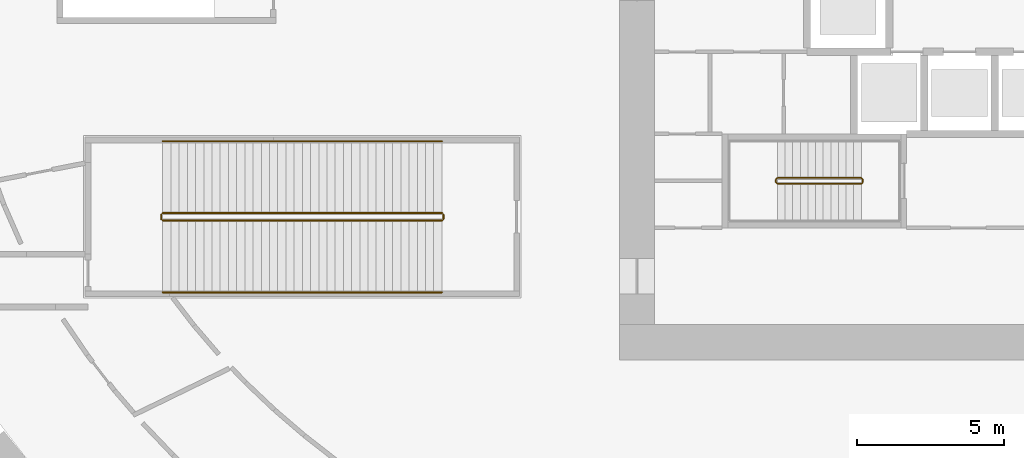
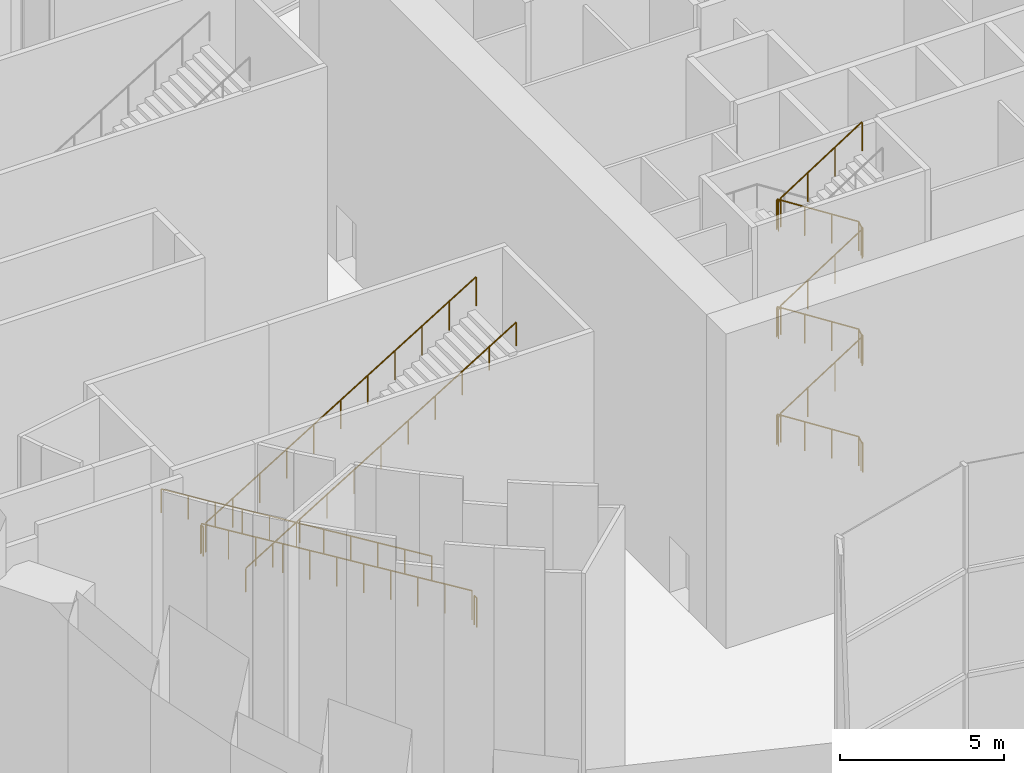
# One storey, part 17 of 25: 7 railings.
"""IFC4 building model written with IfcOpenShell, lengths in metres."""

from ifc_helpers import new_model, si_unit, direction, frame, origin, origin_2d, place, context, subcontext, project, spatial, circle, extrude, source, transform, mapped, material, type_object, element, save


model = new_model("IFC4")

# Units and contexts
model_context = context("Model", 3, precision=1e-05, world=origin(), true_north=direction((0.0, 1.0)))
body_context = subcontext(model_context, "Body", "Model", "MODEL_VIEW")
ifc_project = project(units=[si_unit("LENGTHUNIT", "METRE"), si_unit("AREAUNIT", "SQUARE_METRE"), si_unit("VOLUMEUNIT", "CUBIC_METRE"), si_unit("PLANEANGLEUNIT", "RADIAN"), si_unit("MASSUNIT", "GRAM", prefix="KILO")], contexts=[model_context])

# Site, building, storey
site_placement = place(None, origin())
site = spatial("IfcSite", under=ifc_project, at=site_placement, CompositionType="ELEMENT")
building_placement = place(site_placement, origin())
building = spatial("IfcBuilding", under=site, at=building_placement, Name="Embergate Tower", CompositionType="ELEMENT")
storey_placement = place(building_placement, origin())
storey = spatial("IfcBuildingStorey", under=building, at=storey_placement, Name="L00", CompositionType="ELEMENT", Elevation=0.0)

# Railings
ifc_material_1 = material(Name="Stair guard 1100")
railing_type_1 = type_object("IfcRailingType", Name="Stair guard 1100", PredefinedType="GUARDRAIL", material=ifc_material_1)
shared_shape_1 = source(origin(), body_context, "Body", "SweptSolid", [
    extrude(circle(Radius=0.02392578125, at=origin_2d()), frame((0.0, 0.0, 1.076171875), z_axis=(0.0, 1.0, 0.0), x_axis=(-1.0, 0.0, 0.0)), (0.0, 0.0, 1.0), 0.099853515625),
    extrude(circle(Radius=0.02392578125, at=origin_2d()), frame((0.0, 0.099853515625, 1.076171875), z_axis=(-0.27628659633, 0.27628659633, 0.920506074601), x_axis=(-0.707106781187, -0.707106781187, 0.0)), (0.0, 0.0, 1.0), 0.18115234375),
    extrude(circle(Radius=0.02392578125, at=origin_2d()), frame((-0.050048828125, 0.14990234375, 1.24267578125), z_axis=(-0.841899231129, 0.0, 0.539634769658), x_axis=(0.0, -1.0, 0.0)), (0.0, 0.0, 1.0), 3.397216796875),
    extrude(circle(Radius=0.02392578125, at=origin_2d()), frame((-2.91015625, 0.14990234375, 3.076171875), z_axis=(-0.705375805398, -0.708833529934, 0.0), x_axis=(0.708833529934, -0.705375805398, 0.0)), (0.0, 0.0, 1.0), 0.070556640625),
    extrude(circle(Radius=0.02392578125, at=origin_2d()), frame((-2.9599609375, 0.099853515625, 3.076171875), z_axis=(0.0, -1.0, 0.0), x_axis=(1.0, 0.0, 0.0)), (0.0, 0.0, 1.0), 0.099853515625),
    extrude(circle(Radius=0.02392578125, at=origin_2d()), frame((-2.9599609375, 0.0, 3.076171875), z_axis=(0.275041040955, -0.276389281352, 0.920848191041), x_axis=(0.708833529934, 0.705375805398, 0.0)), (0.0, 0.0, 1.0), 0.18115234375),
    extrude(circle(Radius=0.02392578125, at=origin_2d()), frame((-2.91015625, -0.050048828125, 3.24267578125), z_axis=(0.841899231129, 0.0, 0.539634769658), x_axis=(0.0, 1.0, 0.0)), (0.0, 0.0, 1.0), 3.397216796875),
    extrude(circle(Radius=0.02392578125, at=origin_2d()), frame((-0.050048828125, -0.050048828125, 5.076171875), z_axis=(0.707106781187, 0.707106781187, 0.0), x_axis=(-0.707106781187, 0.707106781187, 0.0)), (0.0, 0.0, 1.0), 0.07080078125),
    extrude(circle(Radius=0.02392578125, at=origin_2d()), frame((0.0, 0.0, 5.076171875), z_axis=(0.0, 1.0, 0.0), x_axis=(-1.0, 0.0, 0.0)), (0.0, 0.0, 1.0), 0.099853515625),
    extrude(circle(Radius=0.02392578125, at=origin_2d()), frame((0.0, 0.099853515625, 5.076171875), z_axis=(-0.27628659633, 0.27628659633, 0.920506074601), x_axis=(-0.707106781187, -0.707106781187, 0.0)), (0.0, 0.0, 1.0), 0.18115234375),
    extrude(circle(Radius=0.02392578125, at=origin_2d()), frame((-0.050048828125, 0.14990234375, 5.24267578125), z_axis=(-0.841899231129, 0.0, 0.539634769658), x_axis=(0.0, -1.0, 0.0)), (0.0, 0.0, 1.0), 3.397216796875),
    extrude(circle(Radius=0.02392578125, at=origin_2d()), frame((-2.91015625, 0.14990234375, 7.076171875), z_axis=(-0.705375805398, -0.708833529934, 0.0), x_axis=(0.708833529934, -0.705375805398, 0.0)), (0.0, 0.0, 1.0), 0.070556640625),
    extrude(circle(Radius=0.02392578125, at=origin_2d()), frame((-2.9599609375, 0.099853515625, 7.076171875), z_axis=(0.0, -1.0, 0.0), x_axis=(1.0, 0.0, 0.0)), (0.0, 0.0, 1.0), 0.099853515625),
    extrude(circle(Radius=0.02392578125, at=origin_2d()), frame((-2.9599609375, 0.0, 7.076171875), z_axis=(0.275041040955, -0.276389281352, 0.920848191041), x_axis=(0.708833529934, 0.705375805398, 0.0)), (0.0, 0.0, 1.0), 0.18115234375),
    extrude(circle(Radius=0.02392578125, at=origin_2d()), frame((-2.91015625, -0.050048828125, 7.24267578125), z_axis=(0.841899231129, 0.0, 0.539634769658), x_axis=(0.0, 1.0, 0.0)), (0.0, 0.0, 1.0), 3.397216796875),
    extrude(circle(Radius=0.02392578125, at=origin_2d()), frame((-0.050048828125, -0.050048828125, 9.076171875), z_axis=(0.707106781187, 0.707106781187, 0.0), x_axis=(-0.707106781187, 0.707106781187, 0.0)), (0.0, 0.0, 1.0), 0.07080078125),
    extrude(circle(Radius=0.02392578125, at=origin_2d()), frame((0.0, 0.0, 9.076171875), z_axis=(0.0, 1.0, 0.0), x_axis=(-1.0, 0.0, 0.0)), (0.0, 0.0, 1.0), 0.099853515625),
    extrude(circle(Radius=0.02392578125, at=origin_2d()), frame((0.0, 0.099853515625, 9.076171875), z_axis=(-0.27628659633, 0.27628659633, 0.920506074601), x_axis=(-0.707106781187, -0.707106781187, 0.0)), (0.0, 0.0, 1.0), 0.18115234375),
    extrude(circle(Radius=0.02392578125, at=origin_2d()), frame((-0.050048828125, 0.14990234375, 9.24267578125), z_axis=(-0.841899231129, 0.0, 0.539634769658), x_axis=(0.0, -1.0, 0.0)), (0.0, 0.0, 1.0), 3.397216796875),
    extrude(circle(Radius=0.02392578125, at=origin_2d()), frame((-2.91015625, 0.14990234375, 11.076171875), z_axis=(-0.705375805398, -0.708833529934, 0.0), x_axis=(0.708833529934, -0.705375805398, 0.0)), (0.0, 0.0, 1.0), 0.070556640625),
    extrude(circle(Radius=0.02392578125, at=origin_2d()), frame((-2.9599609375, 0.099853515625, 11.076171875), z_axis=(0.0, -1.0, 0.0), x_axis=(1.0, 0.0, 0.0)), (0.0, 0.0, 1.0), 0.099853515625),
    extrude(circle(Radius=0.02392578125, at=origin_2d()), frame((-2.9599609375, 0.0, 11.076171875), z_axis=(0.275041040955, -0.276389281352, 0.920848191041), x_axis=(0.708833529934, 0.705375805398, 0.0)), (0.0, 0.0, 1.0), 0.18115234375),
    extrude(circle(Radius=0.02392578125, at=origin_2d()), frame((-2.91015625, -0.050048828125, 11.24267578125), z_axis=(0.841899231129, 0.0, 0.539634769658), x_axis=(0.0, 1.0, 0.0)), (0.0, 0.0, 1.0), 3.397216796875),
    extrude(circle(Radius=0.02099609375, at=origin_2d()), origin(), (0.0, 0.0, 1.0), 1.052001953125),
    extrude(circle(Radius=0.02099609375, at=origin_2d()), frame((0.0, 0.099853515625, 0.0)), (0.0, 0.0, 1.0), 1.052001953125),
    extrude(circle(Radius=0.02099609375, at=origin_2d()), frame((-0.050048828125, 0.14990234375, 0.166748046875)), (0.0, 0.0, 1.0), 1.052001953125),
    extrude(circle(Radius=0.02099609375, at=origin_2d()), frame((-1.00341796875, 0.14990234375, 0.77783203125)), (0.0, 0.0, 1.0), 1.052001953125),
    extrude(circle(Radius=0.02099609375, at=origin_2d()), frame((-1.956787109375, 0.14990234375, 1.388916015625)), (0.0, 0.0, 1.0), 1.052001953125),
    extrude(circle(Radius=0.02099609375, at=origin_2d()), frame((-2.91015625, 0.14990234375, 2.0)), (0.0, 0.0, 1.0), 1.052001953125),
    extrude(circle(Radius=0.02099609375, at=origin_2d()), frame((-2.9599609375, 0.099853515625, 2.0)), (0.0, 0.0, 1.0), 1.052001953125),
    extrude(circle(Radius=0.02099609375, at=origin_2d()), frame((-2.9599609375, 0.0, 2.0)), (0.0, 0.0, 1.0), 1.052001953125),
    extrude(circle(Radius=0.02099609375, at=origin_2d()), frame((-2.91015625, -0.050048828125, 2.166748046875)), (0.0, 0.0, 1.0), 1.052001953125),
    extrude(circle(Radius=0.02099609375, at=origin_2d()), frame((-1.956787109375, -0.050048828125, 2.77783203125)), (0.0, 0.0, 1.0), 1.052001953125),
    extrude(circle(Radius=0.02099609375, at=origin_2d()), frame((-1.00341796875, -0.050048828125, 3.388916015625)), (0.0, 0.0, 1.0), 1.052001953125),
    extrude(circle(Radius=0.02099609375, at=origin_2d()), frame((-0.050048828125, -0.050048828125, 4.0)), (0.0, 0.0, 1.0), 1.052001953125),
    extrude(circle(Radius=0.02099609375, at=origin_2d()), frame((0.0, 0.0, 4.0)), (0.0, 0.0, 1.0), 1.052001953125),
    extrude(circle(Radius=0.02099609375, at=origin_2d()), frame((0.0, 0.099853515625, 4.0)), (0.0, 0.0, 1.0), 1.052001953125),
    extrude(circle(Radius=0.02099609375, at=origin_2d()), frame((-0.050048828125, 0.14990234375, 4.166748046875)), (0.0, 0.0, 1.0), 1.052001953125),
    extrude(circle(Radius=0.02099609375, at=origin_2d()), frame((-1.00341796875, 0.14990234375, 4.77783203125)), (0.0, 0.0, 1.0), 1.052001953125),
    extrude(circle(Radius=0.02099609375, at=origin_2d()), frame((-1.956787109375, 0.14990234375, 5.388916015625)), (0.0, 0.0, 1.0), 1.052001953125),
    extrude(circle(Radius=0.02099609375, at=origin_2d()), frame((-2.91015625, 0.14990234375, 6.0)), (0.0, 0.0, 1.0), 1.052001953125),
    extrude(circle(Radius=0.02099609375, at=origin_2d()), frame((-2.9599609375, 0.099853515625, 6.0)), (0.0, 0.0, 1.0), 1.052001953125),
    extrude(circle(Radius=0.02099609375, at=origin_2d()), frame((-2.9599609375, 0.0, 6.0)), (0.0, 0.0, 1.0), 1.052001953125),
    extrude(circle(Radius=0.02099609375, at=origin_2d()), frame((-2.91015625, -0.050048828125, 6.166748046875)), (0.0, 0.0, 1.0), 1.052001953125),
    extrude(circle(Radius=0.02099609375, at=origin_2d()), frame((-1.956787109375, -0.050048828125, 6.77783203125)), (0.0, 0.0, 1.0), 1.052001953125),
    extrude(circle(Radius=0.02099609375, at=origin_2d()), frame((-1.00341796875, -0.050048828125, 7.388916015625)), (0.0, 0.0, 1.0), 1.052001953125),
    extrude(circle(Radius=0.02099609375, at=origin_2d()), frame((-0.050048828125, -0.050048828125, 8.0)), (0.0, 0.0, 1.0), 1.052001953125),
    extrude(circle(Radius=0.02099609375, at=origin_2d()), frame((0.0, 0.0, 8.0)), (0.0, 0.0, 1.0), 1.052001953125),
    extrude(circle(Radius=0.02099609375, at=origin_2d()), frame((0.0, 0.099853515625, 8.0)), (0.0, 0.0, 1.0), 1.052001953125),
    extrude(circle(Radius=0.02099609375, at=origin_2d()), frame((-0.050048828125, 0.14990234375, 8.166748046875)), (0.0, 0.0, 1.0), 1.052001953125),
    extrude(circle(Radius=0.02099609375, at=origin_2d()), frame((-1.00341796875, 0.14990234375, 8.77783203125)), (0.0, 0.0, 1.0), 1.052001953125),
    extrude(circle(Radius=0.02099609375, at=origin_2d()), frame((-1.956787109375, 0.14990234375, 9.388916015625)), (0.0, 0.0, 1.0), 1.052001953125),
    extrude(circle(Radius=0.02099609375, at=origin_2d()), frame((-2.91015625, 0.14990234375, 10.0)), (0.0, 0.0, 1.0), 1.052001953125),
    extrude(circle(Radius=0.02099609375, at=origin_2d()), frame((-2.9599609375, 0.099853515625, 10.0)), (0.0, 0.0, 1.0), 1.052001953125),
    extrude(circle(Radius=0.02099609375, at=origin_2d()), frame((-2.9599609375, 0.0, 10.0)), (0.0, 0.0, 1.0), 1.052001953125),
    extrude(circle(Radius=0.02099609375, at=origin_2d()), frame((-2.91015625, -0.050048828125, 10.166748046875)), (0.0, 0.0, 1.0), 1.052001953125),
    extrude(circle(Radius=0.02099609375, at=origin_2d()), frame((-1.956787109375, -0.050048828125, 10.77783203125)), (0.0, 0.0, 1.0), 1.052001953125),
    extrude(circle(Radius=0.02099609375, at=origin_2d()), frame((-1.00341796875, -0.050048828125, 11.388916015625)), (0.0, 0.0, 1.0), 1.052001953125),
    extrude(circle(Radius=0.02099609375, at=origin_2d()), frame((-0.050048828125, -0.050048828125, 12.0)), (0.0, 0.0, 1.0), 1.052001953125),
])
railing_1_placement = place(storey_placement, frame((-5.699951171875, -6.949951171875, 0.0)))
element("IfcRailing", 1, at=railing_1_placement, inside=storey, type_object=railing_type_1, Name="L00 ST3 stair guard 1", PredefinedType="GUARDRAIL", context=body_context, shape_type="MappedRepresentation", body=[
    mapped(shared_shape_1, transform((0.0, 0.0, 0.0))),
])
ifc_material_2 = material(Name="Steel", Category="steel")
railing_type_2 = type_object("IfcRailingType", Name="Podium stair guard 1100", PredefinedType="GUARDRAIL", material=ifc_material_2)
shared_shape_2 = source(origin(), body_context, "Body", "SweptSolid", [
    extrude(circle(Radius=0.02392578125, at=origin_2d()), frame((0.0, 0.0, 1.076171875), z_axis=(0.852850111455, 0.0, 0.522155807582), x_axis=(0.0, 1.0, 0.0)), (0.0, 0.0, 1.0), 11.16259765625),
    extrude(circle(Radius=0.02099609375, at=origin_2d()), origin(), (0.0, 0.0, 1.0), 1.052001953125),
    extrude(circle(Radius=0.02099609375, at=origin_2d()), frame((0.951904296875, 0.0, 0.582763671875)), (0.0, 0.0, 1.0), 1.052001953125),
    extrude(circle(Radius=0.02099609375, at=origin_2d()), frame((1.904052734375, 0.0, 1.165771484375)), (0.0, 0.0, 1.0), 1.052001953125),
    extrude(circle(Radius=0.02099609375, at=origin_2d()), frame((2.85595703125, 0.0, 1.74853515625)), (0.0, 0.0, 1.0), 1.052001953125),
    extrude(circle(Radius=0.02099609375, at=origin_2d()), frame((3.80810546875, 0.0, 2.33154296875)), (0.0, 0.0, 1.0), 1.052001953125),
    extrude(circle(Radius=0.02099609375, at=origin_2d()), frame((4.760009765625, 0.0, 2.914306640625)), (0.0, 0.0, 1.0), 1.052001953125),
    extrude(circle(Radius=0.02099609375, at=origin_2d()), frame((5.7119140625, 0.0, 3.4970703125)), (0.0, 0.0, 1.0), 1.052001953125),
    extrude(circle(Radius=0.02099609375, at=origin_2d()), frame((6.6640625, 0.0, 4.080078125)), (0.0, 0.0, 1.0), 1.052001953125),
    extrude(circle(Radius=0.02099609375, at=origin_2d()), frame((7.615966796875, 0.0, 4.662841796875)), (0.0, 0.0, 1.0), 1.052001953125),
    extrude(circle(Radius=0.02099609375, at=origin_2d()), frame((8.568115234375, 0.0, 5.245849609375)), (0.0, 0.0, 1.0), 1.052001953125),
    extrude(circle(Radius=0.02099609375, at=origin_2d()), frame((9.52001953125, 0.0, 5.82861328125)), (0.0, 0.0, 1.0), 1.052001953125),
])
railing_2_placement = place(storey_placement, frame((-29.570068359375, -8.25, 6.17138671875)))
element("IfcRailing", 2, at=railing_2_placement, inside=storey, type_object=railing_type_2, Name="L00 P4 stair guard 3", PredefinedType="GUARDRAIL", context=body_context, shape_type="MappedRepresentation", body=[
    mapped(shared_shape_2, transform((0.0, 0.0, 0.0))),
])
shared_shape_3 = source(origin(), body_context, "Body", "SweptSolid", [
    extrude(circle(Radius=0.02392578125, at=origin_2d()), frame((0.0, 0.0, 1.076171875), z_axis=(-0.852850111455, 0.0, 0.522155807582), x_axis=(0.0, -1.0, 0.0)), (0.0, 0.0, 1.0), 11.16259765625),
    extrude(circle(Radius=0.02099609375, at=origin_2d()), origin(), (0.0, 0.0, 1.0), 1.052001953125),
    extrude(circle(Radius=0.02099609375, at=origin_2d()), frame((-0.951904296875, 0.0, 0.582763671875)), (0.0, 0.0, 1.0), 1.052001953125),
    extrude(circle(Radius=0.02099609375, at=origin_2d()), frame((-1.904052734375, 0.0, 1.165771484375)), (0.0, 0.0, 1.0), 1.052001953125),
    extrude(circle(Radius=0.02099609375, at=origin_2d()), frame((-2.85595703125, 0.0, 1.74853515625)), (0.0, 0.0, 1.0), 1.052001953125),
    extrude(circle(Radius=0.02099609375, at=origin_2d()), frame((-3.80810546875, 0.0, 2.33154296875)), (0.0, 0.0, 1.0), 1.052001953125),
    extrude(circle(Radius=0.02099609375, at=origin_2d()), frame((-4.760009765625, 0.0, 2.914306640625)), (0.0, 0.0, 1.0), 1.052001953125),
    extrude(circle(Radius=0.02099609375, at=origin_2d()), frame((-5.7119140625, 0.0, 3.4970703125)), (0.0, 0.0, 1.0), 1.052001953125),
    extrude(circle(Radius=0.02099609375, at=origin_2d()), frame((-6.6640625, 0.0, 4.080078125)), (0.0, 0.0, 1.0), 1.052001953125),
    extrude(circle(Radius=0.02099609375, at=origin_2d()), frame((-7.615966796875, 0.0, 4.662841796875)), (0.0, 0.0, 1.0), 1.052001953125),
    extrude(circle(Radius=0.02099609375, at=origin_2d()), frame((-8.568115234375, 0.0, 5.245849609375)), (0.0, 0.0, 1.0), 1.052001953125),
    extrude(circle(Radius=0.02099609375, at=origin_2d()), frame((-9.52001953125, 0.0, 5.82861328125)), (0.0, 0.0, 1.0), 1.052001953125),
])
railing_3_placement = place(storey_placement, frame((-20.050048828125, -8.0, 0.17138671875)))
element("IfcRailing", 3, at=railing_3_placement, inside=storey, type_object=railing_type_2, Name="L00 P4 stair guard 1", PredefinedType="GUARDRAIL", context=body_context, shape_type="MappedRepresentation", body=[
    mapped(shared_shape_3, transform((0.0, 0.0, 0.0))),
])
railing_type_3 = type_object("IfcRailingType", Name="Podium stair handrail 900", PredefinedType="HANDRAIL", material=ifc_material_2)
shared_shape_4 = source(origin(), body_context, "Body", "SweptSolid", [
    extrude(circle(Radius=0.02392578125, at=origin_2d()), frame((0.0, 0.0, 0.8759765625), z_axis=(0.852850111455, 0.0, 0.522155807582), x_axis=(0.0, 1.0, 0.0)), (0.0, 0.0, 1.0), 11.16259765625),
    extrude(circle(Radius=0.02099609375, at=origin_2d()), origin(), (0.0, 0.0, 1.0), 0.851806640625),
    extrude(circle(Radius=0.02099609375, at=origin_2d()), frame((0.951904296875, 0.0, 0.582763671875)), (0.0, 0.0, 1.0), 0.851806640625),
    extrude(circle(Radius=0.02099609375, at=origin_2d()), frame((1.904052734375, 0.0, 1.165771484375)), (0.0, 0.0, 1.0), 0.851806640625),
    extrude(circle(Radius=0.02099609375, at=origin_2d()), frame((2.85595703125, 0.0, 1.74853515625)), (0.0, 0.0, 1.0), 0.851806640625),
    extrude(circle(Radius=0.02099609375, at=origin_2d()), frame((3.80810546875, 0.0, 2.33154296875)), (0.0, 0.0, 1.0), 0.851806640625),
    extrude(circle(Radius=0.02099609375, at=origin_2d()), frame((4.760009765625, 0.0, 2.914306640625)), (0.0, 0.0, 1.0), 0.851806640625),
    extrude(circle(Radius=0.02099609375, at=origin_2d()), frame((5.7119140625, 0.0, 3.4970703125)), (0.0, 0.0, 1.0), 0.851806640625),
    extrude(circle(Radius=0.02099609375, at=origin_2d()), frame((6.6640625, 0.0, 4.080078125)), (0.0, 0.0, 1.0), 0.851806640625),
    extrude(circle(Radius=0.02099609375, at=origin_2d()), frame((7.615966796875, 0.0, 4.662841796875)), (0.0, 0.0, 1.0), 0.851806640625),
    extrude(circle(Radius=0.02099609375, at=origin_2d()), frame((8.568115234375, 0.0, 5.245849609375)), (0.0, 0.0, 1.0), 0.851806640625),
    extrude(circle(Radius=0.02099609375, at=origin_2d()), frame((9.52001953125, 0.0, 5.82861328125)), (0.0, 0.0, 1.0), 0.851806640625),
])
railing_4_placement = place(storey_placement, frame((-29.570068359375, -10.699951171875, 6.17138671875)))
element("IfcRailing", 4, at=railing_4_placement, inside=storey, type_object=railing_type_3, Name="L00 P4 stair handrail 2", PredefinedType="HANDRAIL", context=body_context, shape_type="MappedRepresentation", body=[
    mapped(shared_shape_4, transform((0.0, 0.0, 0.0))),
])
shared_shape_5 = source(origin(), body_context, "Body", "SweptSolid", [
    extrude(circle(Radius=0.02392578125, at=origin_2d()), frame((0.0, 0.0, 0.8759765625), z_axis=(-0.852850111455, 0.0, 0.522155807582), x_axis=(0.0, -1.0, 0.0)), (0.0, 0.0, 1.0), 11.16259765625),
    extrude(circle(Radius=0.02099609375, at=origin_2d()), origin(), (0.0, 0.0, 1.0), 0.851806640625),
    extrude(circle(Radius=0.02099609375, at=origin_2d()), frame((-0.951904296875, 0.0, 0.582763671875)), (0.0, 0.0, 1.0), 0.851806640625),
    extrude(circle(Radius=0.02099609375, at=origin_2d()), frame((-1.904052734375, 0.0, 1.165771484375)), (0.0, 0.0, 1.0), 0.851806640625),
    extrude(circle(Radius=0.02099609375, at=origin_2d()), frame((-2.85595703125, 0.0, 1.74853515625)), (0.0, 0.0, 1.0), 0.851806640625),
    extrude(circle(Radius=0.02099609375, at=origin_2d()), frame((-3.80810546875, 0.0, 2.33154296875)), (0.0, 0.0, 1.0), 0.851806640625),
    extrude(circle(Radius=0.02099609375, at=origin_2d()), frame((-4.760009765625, 0.0, 2.914306640625)), (0.0, 0.0, 1.0), 0.851806640625),
    extrude(circle(Radius=0.02099609375, at=origin_2d()), frame((-5.7119140625, 0.0, 3.4970703125)), (0.0, 0.0, 1.0), 0.851806640625),
    extrude(circle(Radius=0.02099609375, at=origin_2d()), frame((-6.6640625, 0.0, 4.080078125)), (0.0, 0.0, 1.0), 0.851806640625),
    extrude(circle(Radius=0.02099609375, at=origin_2d()), frame((-7.615966796875, 0.0, 4.662841796875)), (0.0, 0.0, 1.0), 0.851806640625),
    extrude(circle(Radius=0.02099609375, at=origin_2d()), frame((-8.568115234375, 0.0, 5.245849609375)), (0.0, 0.0, 1.0), 0.851806640625),
    extrude(circle(Radius=0.02099609375, at=origin_2d()), frame((-9.52001953125, 0.0, 5.82861328125)), (0.0, 0.0, 1.0), 0.851806640625),
])
railing_5_placement = place(storey_placement, frame((-20.050048828125, -5.550048828125, 0.17138671875)))
element("IfcRailing", 5, at=railing_5_placement, inside=storey, type_object=railing_type_3, Name="L00 P4 stair handrail 1", PredefinedType="HANDRAIL", context=body_context, shape_type="MappedRepresentation", body=[
    mapped(shared_shape_5, transform((0.0, 0.0, 0.0))),
])
shared_shape_6 = source(origin(), body_context, "Body", "SweptSolid", [
    extrude(circle(Radius=0.02392578125, at=origin_2d()), frame((0.0, 0.0, 1.076171875), z_axis=(0.0, -1.0, 0.0), x_axis=(1.0, 0.0, 0.0)), (0.0, 0.0, 1.0), 0.14990234375),
    extrude(circle(Radius=0.02099609375, at=origin_2d()), origin(), (0.0, 0.0, 1.0), 1.052001953125),
    extrude(circle(Radius=0.02099609375, at=origin_2d()), frame((0.0, -0.14990234375, 0.0)), (0.0, 0.0, 1.0), 1.052001953125),
])
for number, where, name in (
    (6, (-29.6201171875, -8.050048828125, 6.0), "L00 P4 stair guard 2"),
    (7, (-20.0, -8.050048828125, 0.0), "L00 P4 stair guard 4"),
):
    element("IfcRailing", number, at=place(storey_placement, frame(where)), inside=storey, type_object=railing_type_2, Name=name, PredefinedType="GUARDRAIL", context=body_context, shape_type="MappedRepresentation", body=[
        mapped(shared_shape_6, transform((0.0, 0.0, 0.0))),
    ])

save(model, "model.ifc")
